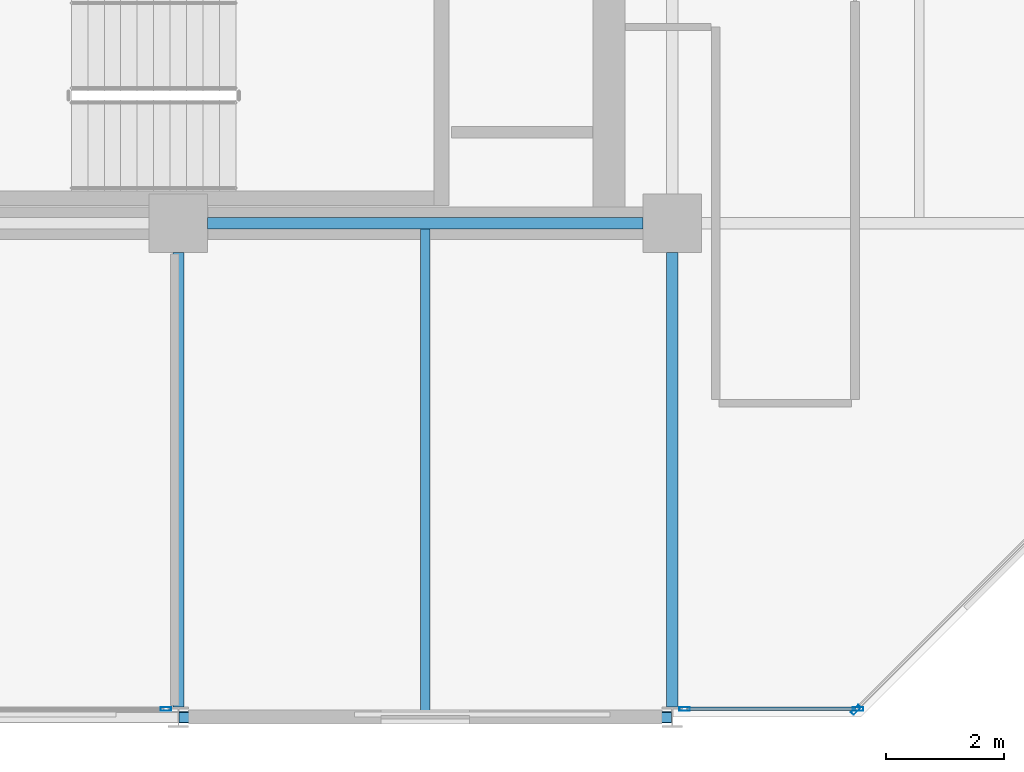
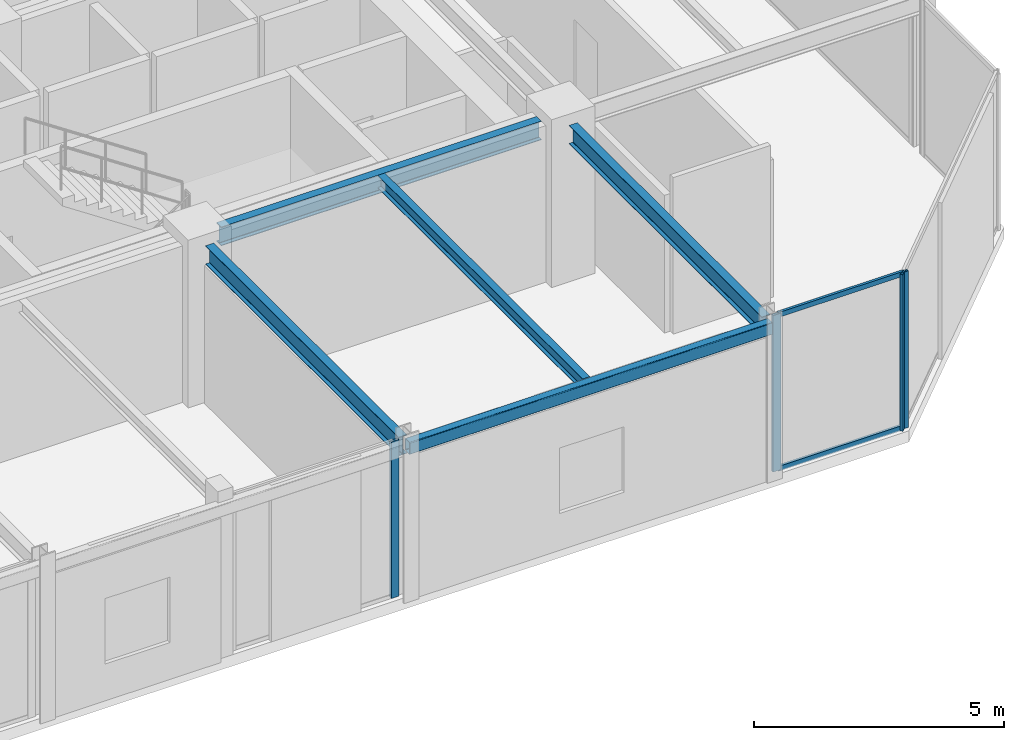
# One storey, part 11 of 29: 6 members, 5 beams, 3 elements without a shape of their own.
"""IFC4 building model written with IfcOpenShell, lengths in metres."""

from ifc_helpers import new_model, si_unit, direction, frame, origin, origin_2d, place, context, subcontext, project, spatial, hollow_rectangle, i_section, extrude, material, layer, layer_set, material_profile, profile_set, type_object, element, aggregate, save


model = new_model("IFC4")

# Units and contexts
model_context = context("Model", 3, precision=1e-05, world=origin(), true_north=direction((0.0, 1.0)))
body_context = subcontext(model_context, "Body", "Model", "MODEL_VIEW")
ifc_project = project(units=[si_unit("LENGTHUNIT", "METRE"), si_unit("AREAUNIT", "SQUARE_METRE"), si_unit("VOLUMEUNIT", "CUBIC_METRE"), si_unit("PLANEANGLEUNIT", "RADIAN"), si_unit("MASSUNIT", "GRAM", prefix="KILO")], contexts=[model_context])

# Site, building, storey
site_placement = place(None, origin())
site = spatial("IfcSite", under=ifc_project, at=site_placement, CompositionType="ELEMENT")
building_placement = place(site_placement, origin())
building = spatial("IfcBuilding", under=site, at=building_placement, Name="Nerrivon Quay Data Exchange", CompositionType="ELEMENT")
storey_placement = place(building_placement, frame((0.0, 0.0, 187.800048828125)))
storey = spatial("IfcBuildingStorey", under=building, at=storey_placement, Name="L44", CompositionType="ELEMENT", Elevation=187.800048828125)

# Beams
ifc_material_1 = material(Name="Steel Grade 350", Category="steel")
ifc_material_profile_1 = material_profile(ifc_material_1, i_section(OverallWidth=0.19091796875, OverallDepth=0.4599609375, WebThickness=0.010009765625, FlangeThickness=0.01611328125, FilletRadius=0.011474609375, at=origin_2d()), Name="460UB82.1")
ifc_profile_set_1 = profile_set([ifc_material_profile_1], Name="Steel Grade 350")
beam_type_1 = type_object("IfcBeamType", Name="BM-G5-460UB82", PredefinedType="BEAM", material=ifc_profile_set_1)
beam_1_placement = place(storey_placement, frame((25.699951171875, 8.39990234375, 3.594970703125), z_axis=(1.0, 0.0, 0.0), x_axis=(0.0, 1.0, 0.0)))
element("IfcBeam", 1, at=beam_1_placement, inside=storey, type_object=beam_type_1, Name="L44 EW Girder Y=8.4 (25.2..33.6)", PredefinedType="BEAM", context=body_context, shape_type="SweptSolid", body=[
    extrude(i_section(OverallWidth=0.19091796875, OverallDepth=0.4599609375, WebThickness=0.010009765625, FlangeThickness=0.01611328125, FilletRadius=0.011474609375, at=origin_2d()), origin(), (0.0, 0.0, 1.0), 7.400146484375),
])
ifc_material_profile_2 = material_profile(ifc_material_1, i_section(OverallWidth=0.18994140625, OverallDepth=0.4541015625, WebThickness=0.008544921875, FlangeThickness=0.0126953125, FilletRadius=0.011474609375, at=origin_2d()), Name="460UB67.1")
ifc_profile_set_2 = profile_set([ifc_material_profile_2], Name="Steel Grade 350")
beam_type_2 = type_object("IfcBeamType", Name="BM-G6-460UB67", PredefinedType="BEAM", material=ifc_profile_set_2)
for number, where, z_axis, x_axis, name in (
    (2, (25.199951171875, 0.175048828125, 3.597900390625), (0.0, 1.0, 0.0), (-1.0, 0.0, 0.0), "L44 NS Girder X=25.2 (0.0..8.4)"),
    (3, (33.60009765625, 0.175048828125, 3.597900390625), (0.0, 1.0, 0.0), (-1.0, 0.0, 0.0), "L44 NS Girder X=33.6 (0.0..8.4)"),
):
    element("IfcBeam", number, at=place(storey_placement, frame(where, z_axis=z_axis, x_axis=x_axis)), inside=storey, type_object=beam_type_2, Name=name, PredefinedType="BEAM", context=body_context, shape_type="SweptSolid", body=[
        extrude(i_section(OverallWidth=0.18994140625, OverallDepth=0.4541015625, WebThickness=0.008544921875, FlangeThickness=0.0126953125, FilletRadius=0.011474609375, at=origin_2d()), origin(), (0.0, 0.0, 1.0), 7.724853515625),
    ])
ifc_material_profile_3 = material_profile(ifc_material_1, i_section(OverallWidth=0.166015625, OverallDepth=0.306884765625, WebThickness=0.006591796875, FlangeThickness=0.01171875, FilletRadius=0.011474609375, at=origin_2d()), Name="310UB46.2")
ifc_profile_set_3 = profile_set([ifc_material_profile_3], Name="Steel Grade 350")
beam_type_3 = type_object("IfcBeamType", Name="BM-J5-310UB46", PredefinedType="JOIST", material=ifc_profile_set_3)
beam_2_placement = place(storey_placement, frame((29.39990234375, 0.10009765625, 3.67138671875), z_axis=(0.0, 1.0, 0.0), x_axis=(-1.0, 0.0, 0.0)))
element("IfcBeam", 4, at=beam_2_placement, inside=storey, type_object=beam_type_3, Name="L44 Secondary Joist X=29.4 (0.0..8.4)", PredefinedType="JOIST", context=body_context, shape_type="SweptSolid", body=[
    extrude(i_section(OverallWidth=0.166015625, OverallDepth=0.306884765625, WebThickness=0.006591796875, FlangeThickness=0.01171875, FilletRadius=0.011474609375, at=origin_2d()), origin(), (0.0, 0.0, 1.0), 8.204345703125),
])
ifc_material_2 = material(Name="Steel Grade C350L0 (350 MPa)", Category="steel")
ifc_material_profile_4 = material_profile(ifc_material_2, hollow_rectangle(XDim=0.199951171875, YDim=0.300048828125, WallThickness=0.012451171875, InnerFilletRadius=0.018798828125, OuterFilletRadius=0.03125, at=origin_2d()), Name="300x200x12.5RHS")
ifc_profile_set_4 = profile_set([ifc_material_profile_4], Name="Steel Grade C350L0 (350 MPa)")
beam_type_4 = type_object("IfcBeamType", Name="BM-SP3-300x200RHS", PredefinedType="SPANDREL", material=ifc_profile_set_4)
beam_3_placement = place(storey_placement, frame((25.2099609375, 0.0, 3.675048828125), z_axis=(1.0, 0.0, 0.0), x_axis=(0.0, 1.0, 0.0)))
element("IfcBeam", 5, at=beam_3_placement, inside=storey, type_object=beam_type_4, Name="L44 EW Girder Y=0.0 (25.2..33.6)", PredefinedType="SPANDREL", context=body_context, shape_type="SweptSolid", body=[
    extrude(hollow_rectangle(XDim=0.199951171875, YDim=0.300048828125, WallThickness=0.012451171875, InnerFilletRadius=0.018798828125, OuterFilletRadius=0.03125, at=origin_2d()), origin(), (0.0, 0.0, 1.0), 8.380126953125),
])

# Curtain wall, member
ifc_material_3 = material(Name="Anodised aluminium 6063-T6", Category="aluminium")
ifc_layer = layer(ifc_material_3, 0.195068359375)
ifc_layer_set = layer_set([ifc_layer], Name="Anodised aluminium 6063-T6")
curtain_wall_type = type_object("IfcCurtainWallType", Name="CW-SYS-06", PredefinedType="NOTDEFINED", material=ifc_layer_set)
curtain_wall_1_placement = place(storey_placement, origin())
curtain_wall_1 = element("IfcCurtainWall", 6, at=curtain_wall_1_placement, inside=storey, type_object=curtain_wall_type, Name="L44 Unitised Curtain Wall 21", PredefinedType="NOTDEFINED")
ifc_material_profile_5 = material_profile(ifc_material_3, hollow_rectangle(XDim=0.06494140625, YDim=0.179931640625, WallThickness=0.00341796875, at=origin_2d()), Name="ALU-MULL-180x65")
ifc_profile_set_5 = profile_set([ifc_material_profile_5], Name="Anodised aluminium 6063-T6")
member_type_1 = type_object("IfcMemberType", Name="CWM-180x65", PredefinedType="MULLION", material=ifc_profile_set_5)
member_1_placement = place(storey_placement, frame((36.7275390625, 0.12548828125, 0.0), z_axis=(0.0, 0.0, 1.0), x_axis=(0.707106781187, -0.707106781187, 0.0)))
member_1 = element("IfcMember", 7, at=member_1_placement, type_object=member_type_1, Name="CW06 mullion 2", PredefinedType="MULLION", context=body_context, shape_type="SweptSolid", body=[
    extrude(hollow_rectangle(XDim=0.06494140625, YDim=0.179931640625, WallThickness=0.00341796875, at=origin_2d()), origin(), (0.0, 0.0, 1.0), 3.824951171875),
])
aggregate(curtain_wall_1, [member_1])

# Curtain wall, members
curtain_wall_2_placement = place(storey_placement, origin())
curtain_wall_2 = element("IfcCurtainWall", 8, at=curtain_wall_2_placement, inside=storey, type_object=curtain_wall_type, Name="L44 Unitised Curtain Wall 22", PredefinedType="NOTDEFINED")
member_2_placement = place(storey_placement, frame((36.762451171875, 0.139892578125, 0.0), z_axis=(0.0, 0.0, 1.0), x_axis=(0.0, -1.0, 0.0)))
member_2 = element("IfcMember", 9, at=member_2_placement, type_object=member_type_1, Name="CW06 mullion 1", PredefinedType="MULLION", context=body_context, shape_type="SweptSolid", body=[
    extrude(hollow_rectangle(XDim=0.06494140625, YDim=0.179931640625, WallThickness=0.00341796875, at=origin_2d()), origin(), (0.0, 0.0, 1.0), 3.824951171875),
])
member_3_placement = place(storey_placement, frame((33.8125, 0.139892578125, 0.0), z_axis=(0.0, 0.0, 1.0), x_axis=(0.0, -1.0, 0.0)))
member_3 = element("IfcMember", 10, at=member_3_placement, type_object=member_type_1, Name="CW06 mullion 2", PredefinedType="MULLION", context=body_context, shape_type="SweptSolid", body=[
    extrude(hollow_rectangle(XDim=0.06494140625, YDim=0.179931640625, WallThickness=0.00341796875, at=origin_2d()), origin(), (0.0, 0.0, 1.0), 3.824951171875),
])

# Curtain wall, member
curtain_wall_3_placement = place(storey_placement, origin())
curtain_wall_3 = element("IfcCurtainWall", 11, at=curtain_wall_3_placement, inside=storey, type_object=curtain_wall_type, Name="L44 Unitised Curtain Wall 24", PredefinedType="NOTDEFINED")
member_4_placement = place(storey_placement, frame((24.987548828125, 0.139892578125, 0.0), z_axis=(0.0, 0.0, 1.0), x_axis=(0.0, -1.0, 0.0)))
member_4 = element("IfcMember", 12, at=member_4_placement, type_object=member_type_1, Name="CW06 mullion 1", PredefinedType="MULLION", context=body_context, shape_type="SweptSolid", body=[
    extrude(hollow_rectangle(XDim=0.06494140625, YDim=0.179931640625, WallThickness=0.00341796875, at=origin_2d()), origin(), (0.0, 0.0, 1.0), 3.824951171875),
])
aggregate(curtain_wall_3, [member_4])

# Member
ifc_material_profile_6 = material_profile(ifc_material_3, hollow_rectangle(XDim=0.06005859375, YDim=0.1201171875, WallThickness=0.003173828125, at=origin_2d()), Name="ALU-TRAN-120x60")
ifc_profile_set_6 = profile_set([ifc_material_profile_6], Name="Anodised aluminium 6063-T6")
member_type_2 = type_object("IfcMemberType", Name="CWT-120x60", PredefinedType="USERDEFINED", material=ifc_profile_set_6)
member_5_placement = place(storey_placement, frame((36.72509765625, 0.139892578125, 0.032470703125), z_axis=(-1.0, 0.0, 0.0), x_axis=(0.0, -1.0, 0.0)))
member_5 = element("IfcMember", 13, at=member_5_placement, type_object=member_type_2, Name="CW06 transom 1.1", ObjectType="TRANSOM", PredefinedType="USERDEFINED", context=body_context, shape_type="SweptSolid", body=[
    extrude(hollow_rectangle(XDim=0.06005859375, YDim=0.1201171875, WallThickness=0.003173828125, at=origin_2d()), origin(), (0.0, 0.0, 1.0), 2.875),
])

member_6_placement = place(storey_placement, frame((36.72509765625, 0.139892578125, 3.79248046875), z_axis=(-1.0, 0.0, 0.0), x_axis=(0.0, -1.0, 0.0)))
member_6 = element("IfcMember", 14, at=member_6_placement, type_object=member_type_2, Name="CW06 transom 1.2", ObjectType="TRANSOM", PredefinedType="USERDEFINED", context=body_context, shape_type="SweptSolid", body=[
    extrude(hollow_rectangle(XDim=0.06005859375, YDim=0.1201171875, WallThickness=0.003173828125, at=origin_2d()), origin(), (0.0, 0.0, 1.0), 2.875),
])

aggregate(curtain_wall_2, [member_2, member_3, member_5, member_6])

save(model, "model.ifc")
